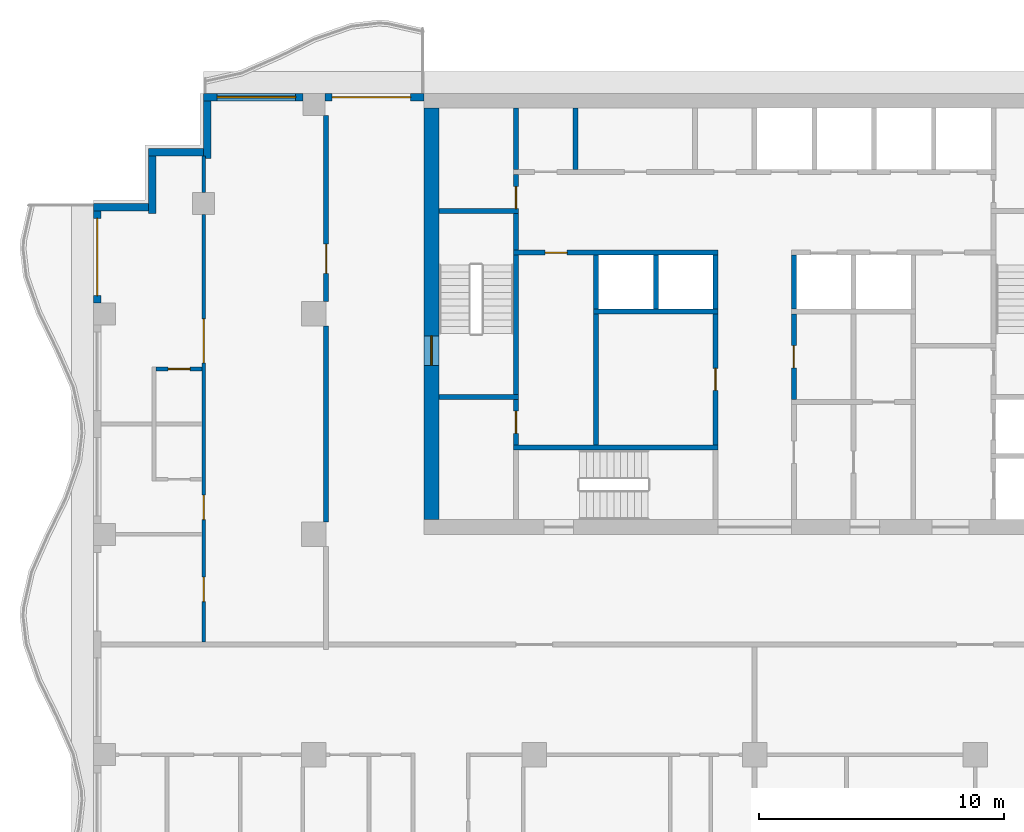
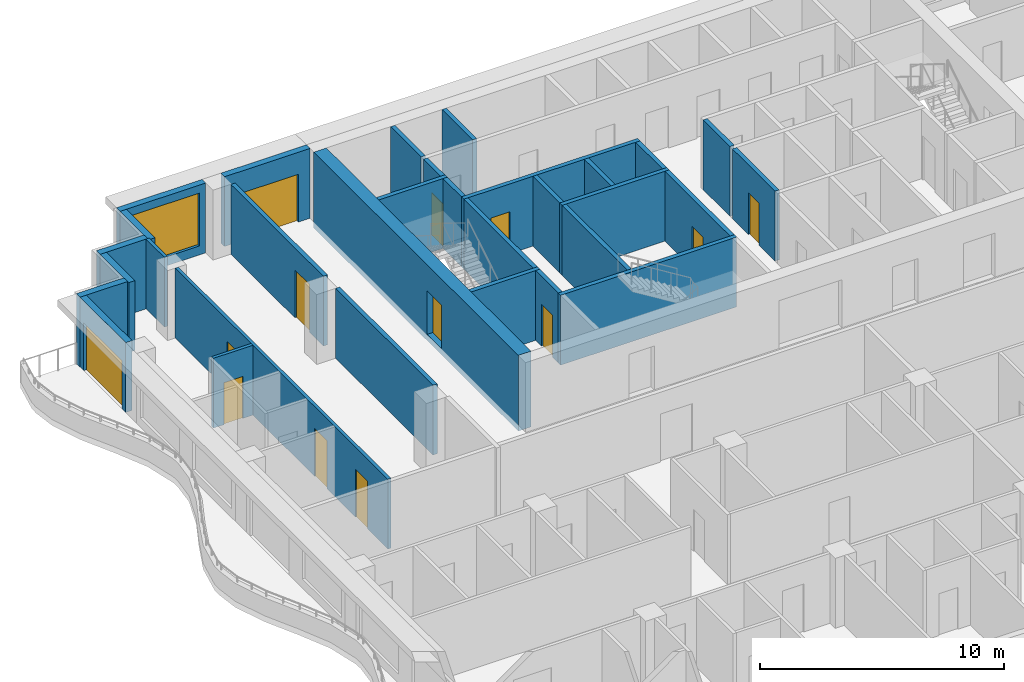
# One storey, part 5 of 11: 31 walls, 13 doors, 1 window, 14 openings.
"""IFC4 building model written with IfcOpenShell, lengths in metres."""

from ifc_helpers import new_model, si_unit, direction, frame, frame_2d, origin, place, context, subcontext, project, spatial, rectangle, extrude, material, layer, layer_set, type_object, element, fill, save


model = new_model("IFC4")

# Units and contexts
model_context = context("Model", 3, precision=1e-05, world=origin(), true_north=direction((0.0, 1.0)))
body_context = subcontext(model_context, "Body", "Model", "MODEL_VIEW")
ifc_project = project(units=[si_unit("LENGTHUNIT", "METRE"), si_unit("AREAUNIT", "SQUARE_METRE"), si_unit("VOLUMEUNIT", "CUBIC_METRE"), si_unit("PLANEANGLEUNIT", "RADIAN"), si_unit("MASSUNIT", "GRAM", prefix="KILO")], contexts=[model_context])

# Site, building, storey
site_placement = place(None, origin())
site = spatial("IfcSite", under=ifc_project, at=site_placement, CompositionType="ELEMENT")
building_placement = place(site_placement, origin())
building = spatial("IfcBuilding", under=site, at=building_placement, Name="Orbiselva Terraces", CompositionType="ELEMENT")
storey_placement = place(building_placement, frame((0.0, 0.0, 246.4)))
storey = spatial("IfcBuildingStorey", under=building, at=storey_placement, Name="L62", CompositionType="ELEMENT", Elevation=246.4)

# Wall, opening, door
ifc_material_1 = material(Name="Concrete C80/95", Category="concrete")
ifc_layer_1 = layer(ifc_material_1, 0.6)
ifc_layer_set_1 = layer_set([ifc_layer_1], Name="Concrete C80/95")
wall_type_1 = type_object("IfcWallType", Name="CORE WALL 600", PredefinedType="SHEAR", material=ifc_layer_set_1)
wall_1_placement = place(storey_placement, frame((-13.2, 21.9, -0.3), z_axis=(0.0, 0.0, 1.0), x_axis=(0.0, -1.0, 0.0)))
wall_1 = element("IfcWall", 1, at=wall_1_placement, inside=storey, type_object=wall_type_1, Name="Core wall L62 west", PredefinedType="SHEAR", context=body_context, shape_type="SweptSolid", body=[
    extrude(rectangle(XDim=16.8, YDim=0.6, at=frame_2d((8.4, 0.0))), origin(), (0.0, 0.0, 1.0), 3.8),
])
opening_1_placement = place(wall_1_placement, frame((9.3, 0.0, 0.3)))
opening_1 = element("IfcOpeningElement", 2, at=opening_1_placement, cuts=wall_1, Name="Opening DS1200", PredefinedType="OPENING", context=body_context, shape_type="SweptSolid", body=[
    extrude(rectangle(XDim=1.2, YDim=2.2, at=frame_2d((0.6, 1.1))), frame((0.0, 0.31, 0.0), z_axis=(0.0, -1.0, 0.0), x_axis=(1.0, 0.0, 0.0)), (0.0, 0.0, 1.0), 0.62),
])
ifc_material_2 = material(Name="Steel fire door", Category="steel")
door_type_1 = type_object("IfcDoorType", Name="STAIR DOOR 1200", OperationType="NOTDEFINED", PredefinedType="DOOR", material=ifc_material_2)
door_1_placement = place(opening_1_placement, frame((1.2, 0.0, 0.0), z_axis=(0.0, 0.0, 1.0), x_axis=(-1.0, 0.0, 0.0)))
door_1 = element("IfcDoor", 3, at=door_1_placement, inside=storey, type_object=door_type_1, Name="L62 EXIT STAIR S1 door", OperationType="SINGLE_SWING_RIGHT", OverallHeight=2.2, OverallWidth=1.2, PredefinedType="DOOR", context=body_context, shape_type="SweptSolid", body=[
    extrude(rectangle(XDim=1.2, YDim=2.2, at=frame_2d((0.6, 1.1))), frame((0.0, 0.025, 0.0), z_axis=(0.0, -1.0, 0.0), x_axis=(1.0, 0.0, 0.0)), (0.0, 0.0, 1.0), 0.05),
])
fill(opening_1, door_1)

ifc_material_3 = material(Name="Masonry blockwork", Category="masonry")
ifc_layer_2 = layer(ifc_material_3, 0.2)
ifc_layer_set_2 = layer_set([ifc_layer_2], Name="Masonry blockwork")
wall_type_2 = type_object("IfcWallType", Name="CORE-WALL-PARTITION-200", PredefinedType="PARTITIONING", material=ifc_layer_set_2)
wall_2_placement = place(storey_placement, frame((-9.75, 8.15, 0.0), z_axis=(0.0, 0.0, 1.0), x_axis=(0.0, 1.0, 0.0)))
wall_2 = element("IfcWall", 4, at=wall_2_placement, inside=storey, type_object=wall_type_2, Name="L62 core wall 05", PredefinedType="PARTITIONING", context=body_context, shape_type="SweptSolid", body=[
    extrude(rectangle(XDim=1.85, YDim=0.2, at=frame_2d((0.925, 0.0))), origin(), (0.0, 0.0, 1.0), 3.5),
])
opening_2_placement = place(wall_2_placement, frame((0.475, 0.0, 0.0)))
opening_2 = element("IfcOpeningElement", 5, at=opening_2_placement, cuts=wall_2, Name="Opening DR900", PredefinedType="OPENING", context=body_context, shape_type="SweptSolid", body=[
    extrude(rectangle(XDim=0.9, YDim=2.1, at=frame_2d((0.45, 1.05))), frame((0.0, 0.11, 0.0), z_axis=(0.0, -1.0, 0.0), x_axis=(1.0, 0.0, 0.0)), (0.0, 0.0, 1.0), 0.22),
])
door_type_2 = type_object("IfcDoorType", Name="ROOM DOOR 900", OperationType="NOTDEFINED", PredefinedType="DOOR", material=ifc_material_2)
door_2_placement = place(opening_2_placement, origin())
door_2 = element("IfcDoor", 6, at=door_2_placement, inside=storey, type_object=door_type_2, Name="L62 STAFF WC door", OperationType="SINGLE_SWING_RIGHT", OverallHeight=2.1, OverallWidth=0.9, PredefinedType="DOOR", context=body_context, shape_type="SweptSolid", body=[
    extrude(rectangle(XDim=0.9, YDim=2.1, at=frame_2d((0.45, 1.05))), frame((0.0, 0.025, 0.0), z_axis=(0.0, -1.0, 0.0), x_axis=(1.0, 0.0, 0.0)), (0.0, 0.0, 1.0), 0.05),
])
fill(opening_2, door_2)

wall_3_placement = place(storey_placement, frame((-9.75, 17.8, 0.0), z_axis=(0.0, 0.0, 1.0), x_axis=(0.0, 1.0, 0.0)))
wall_3 = element("IfcWall", 7, at=wall_3_placement, inside=storey, type_object=wall_type_2, Name="L62 core wall 09", PredefinedType="PARTITIONING", context=body_context, shape_type="SweptSolid", body=[
    extrude(rectangle(XDim=1.4, YDim=0.2, at=frame_2d((0.7, 0.0))), origin(), (0.0, 0.0, 1.0), 3.5),
])
opening_3_placement = place(wall_3_placement, origin())
opening_3 = element("IfcOpeningElement", 8, at=opening_3_placement, cuts=wall_3, Name="Opening DR900", PredefinedType="OPENING", context=body_context, shape_type="SweptSolid", body=[
    extrude(rectangle(XDim=0.9, YDim=2.1, at=frame_2d((0.45, 1.05))), frame((0.0, 0.11, 0.0), z_axis=(0.0, -1.0, 0.0), x_axis=(1.0, 0.0, 0.0)), (0.0, 0.0, 1.0), 0.22),
])
door_3_placement = place(opening_3_placement, origin())
door_3 = element("IfcDoor", 9, at=door_3_placement, inside=storey, type_object=door_type_2, Name="L62 COMMS RISER ROOM door", OperationType="SINGLE_SWING_LEFT", OverallHeight=2.1, OverallWidth=0.9, PredefinedType="DOOR", context=body_context, shape_type="SweptSolid", body=[
    extrude(rectangle(XDim=0.9, YDim=2.1, at=frame_2d((0.45, 1.05))), frame((0.0, 0.025, 0.0), z_axis=(0.0, -1.0, 0.0), x_axis=(1.0, 0.0, 0.0)), (0.0, 0.0, 1.0), 0.05),
])
fill(opening_3, door_3)

# Walls
for number, where, z_axis, x_axis, name in (
    (10, (-9.75, 19.4, 0.0), (0.0, 0.0, 1.0), (0.0, 1.0, 0.0), "L62 core wall 11"),
    (11, (-7.3125, 19.4, 0.0), (0.0, 0.0, 1.0), (0.0, 1.0, 0.0), "L62 core wall 12"),
):
    element("IfcWall", number, at=place(storey_placement, frame(where, z_axis=z_axis, x_axis=x_axis)), inside=storey, type_object=wall_type_2, Name=name, PredefinedType="PARTITIONING", context=body_context, shape_type="SweptSolid", body=[
        extrude(rectangle(XDim=2.5, YDim=0.2, at=frame_2d((1.25, 0.0))), origin(), (0.0, 0.0, 1.0), 3.5),
    ])
wall_4_placement = place(storey_placement, frame((-6.475, 8.15, 0.0), z_axis=(0.0, 0.0, 1.0), x_axis=(0.0, 1.0, 0.0)))
element("IfcWall", 12, at=wall_4_placement, inside=storey, type_object=wall_type_2, Name="L62 core wall 13", PredefinedType="PARTITIONING", context=body_context, shape_type="SweptSolid", body=[
    extrude(rectangle(XDim=5.35, YDim=0.2, at=frame_2d((2.675, 0.0))), origin(), (0.0, 0.0, 1.0), 3.5),
])
ifc_material_4 = material(Name="Concrete C40/50", Category="concrete")
ifc_layer_3 = layer(ifc_material_4, 0.2)
ifc_layer_set_3 = layer_set([ifc_layer_3], Name="Concrete C40/50")
wall_type_3 = type_object("IfcWallType", Name="CORE-WALL-SHAFT-200", PredefinedType="PARTITIONING", material=ifc_layer_set_3)
for number, where, z_axis, x_axis, name in (
    (13, (-6.475, 13.7, 0.0), (0.0, 0.0, 1.0), (0.0, 1.0, 0.0), "L62 core wall 15"),
    (14, (-4.0375, 13.7, 0.0), (0.0, 0.0, 1.0), (0.0, 1.0, 0.0), "L62 core wall 16"),
    (15, (-1.6, 13.7, 0.0), (0.0, 0.0, 1.0), (0.0, 1.0, 0.0), "L62 core wall 20"),
    (16, (1.6, 13.7, 0.0), (0.0, 0.0, 1.0), (0.0, 1.0, 0.0), "L62 core wall 26"),
):
    element("IfcWall", number, at=place(storey_placement, frame(where, z_axis=z_axis, x_axis=x_axis)), inside=storey, type_object=wall_type_3, Name=name, PredefinedType="PARTITIONING", context=body_context, shape_type="SweptSolid", body=[
        extrude(rectangle(XDim=2.2, YDim=0.2, at=frame_2d((1.1, 0.0))), origin(), (0.0, 0.0, 1.0), 3.5),
    ])
ifc_material_5 = material(Name="Concrete C60/75", Category="concrete")
ifc_layer_4 = layer(ifc_material_5, 0.2)
ifc_layer_set_4 = layer_set([ifc_layer_4], Name="Concrete C60/75")
wall_type_4 = type_object("IfcWallType", Name="CORE-WALL-SHEAR-200", PredefinedType="SHEAR", material=ifc_layer_set_4)
for number, where, z_axis, x_axis, name in (
    (17, (-12.9, 10.1, 0.0), (0.0, 0.0, 1.0), (1.0, 0.0, 0.0), "L62 core wall 01"),
    (18, (-12.9, 17.7, 0.0), (0.0, 0.0, 1.0), (1.0, 0.0, 0.0), "L62 core wall 02"),
):
    element("IfcWall", number, at=place(storey_placement, frame(where, z_axis=z_axis, x_axis=x_axis)), inside=storey, type_object=wall_type_4, Name=name, PredefinedType="SHEAR", context=body_context, shape_type="SweptSolid", body=[
        extrude(rectangle(XDim=3.25, YDim=0.2, at=frame_2d((1.625, 0.0))), origin(), (0.0, 0.0, 1.0), 3.5),
    ])
wall_5_placement = place(storey_placement, frame((-9.85, 8.05, 0.0), z_axis=(0.0, 0.0, 1.0), x_axis=(1.0, 0.0, 0.0)))
element("IfcWall", 19, at=wall_5_placement, inside=storey, type_object=wall_type_4, Name="L62 core wall 04", PredefinedType="SHEAR", context=body_context, shape_type="SweptSolid", body=[
    extrude(rectangle(XDim=8.35, YDim=0.2, at=frame_2d((4.175, 0.0))), origin(), (0.0, 0.0, 1.0), 3.5),
])
wall_6_placement = place(storey_placement, frame((-9.75, 10.2, 0.0), z_axis=(0.0, 0.0, 1.0), x_axis=(0.0, 1.0, 0.0)))
element("IfcWall", 20, at=wall_6_placement, inside=storey, type_object=wall_type_4, Name="L62 core wall 06", PredefinedType="SHEAR", context=body_context, shape_type="SweptSolid", body=[
    extrude(rectangle(XDim=5.7, YDim=0.2, at=frame_2d((2.85, 0.0))), origin(), (0.0, 0.0, 1.0), 3.5),
])

# Wall, opening, door
wall_7_placement = place(storey_placement, frame((-1.5, 16.0, 0.0), z_axis=(0.0, 0.0, 1.0), x_axis=(-1.0, 0.0, 0.0)))
wall_7 = element("IfcWall", 21, at=wall_7_placement, inside=storey, type_object=wall_type_4, Name="L62 core wall 07", PredefinedType="SHEAR", context=body_context, shape_type="SweptSolid", body=[
    extrude(rectangle(XDim=8.35, YDim=0.2, at=frame_2d((4.175, 0.0))), origin(), (0.0, 0.0, 1.0), 3.5),
])
opening_4_placement = place(wall_7_placement, frame((6.1625, 0.0, 0.0)))
opening_4 = element("IfcOpeningElement", 22, at=opening_4_placement, cuts=wall_7, Name="Opening DR900", PredefinedType="OPENING", context=body_context, shape_type="SweptSolid", body=[
    extrude(rectangle(XDim=0.9, YDim=2.1, at=frame_2d((0.45, 1.05))), frame((0.0, 0.11, 0.0), z_axis=(0.0, -1.0, 0.0), x_axis=(1.0, 0.0, 0.0)), (0.0, 0.0, 1.0), 0.22),
])
door_4_placement = place(opening_4_placement, origin())
door_4 = element("IfcDoor", 23, at=door_4_placement, inside=storey, type_object=door_type_2, Name="L62 STAFF PANTRY door", OperationType="SINGLE_SWING_RIGHT", OverallHeight=2.1, OverallWidth=0.9, PredefinedType="DOOR", context=body_context, shape_type="SweptSolid", body=[
    extrude(rectangle(XDim=0.9, YDim=2.1, at=frame_2d((0.45, 1.05))), frame((0.0, 0.025, 0.0), z_axis=(0.0, -1.0, 0.0), x_axis=(1.0, 0.0, 0.0)), (0.0, 0.0, 1.0), 0.05),
])
fill(opening_4, door_4)

# Walls
wall_8_placement = place(storey_placement, frame((-9.75, 16.1, 0.0), z_axis=(0.0, 0.0, 1.0), x_axis=(0.0, 1.0, 0.0)))
element("IfcWall", 24, at=wall_8_placement, inside=storey, type_object=wall_type_4, Name="L62 core wall 08", PredefinedType="SHEAR", context=body_context, shape_type="SweptSolid", body=[
    extrude(rectangle(XDim=1.5, YDim=0.2, at=frame_2d((0.75, 0.0))), origin(), (0.0, 0.0, 1.0), 3.5),
])
wall_9_placement = place(storey_placement, frame((-6.575, 13.6, 0.0), z_axis=(0.0, 0.0, 1.0), x_axis=(1.0, 0.0, 0.0)))
element("IfcWall", 25, at=wall_9_placement, inside=storey, type_object=wall_type_4, Name="L62 core wall 14", PredefinedType="SHEAR", context=body_context, shape_type="SweptSolid", body=[
    extrude(rectangle(XDim=5.075, YDim=0.2, at=frame_2d((2.5375, 0.0))), origin(), (0.0, 0.0, 1.0), 3.5),
])

# Wall, opening, door
wall_10_placement = place(storey_placement, frame((-1.6, 8.15, 0.0), z_axis=(0.0, 0.0, 1.0), x_axis=(0.0, 1.0, 0.0)))
wall_10 = element("IfcWall", 26, at=wall_10_placement, inside=storey, type_object=wall_type_4, Name="L62 core wall 19", PredefinedType="SHEAR", context=body_context, shape_type="SweptSolid", body=[
    extrude(rectangle(XDim=5.35, YDim=0.2, at=frame_2d((2.675, 0.0))), origin(), (0.0, 0.0, 1.0), 3.5),
])
opening_5_placement = place(wall_10_placement, frame((2.225, 0.0, 0.0)))
opening_5 = element("IfcOpeningElement", 27, at=opening_5_placement, cuts=wall_10, Name="Opening DR900", PredefinedType="OPENING", context=body_context, shape_type="SweptSolid", body=[
    extrude(rectangle(XDim=0.9, YDim=2.1, at=frame_2d((0.45, 1.05))), frame((0.0, 0.11, 0.0), z_axis=(0.0, -1.0, 0.0), x_axis=(1.0, 0.0, 0.0)), (0.0, 0.0, 1.0), 0.22),
])
door_5_placement = place(opening_5_placement, origin())
door_5 = element("IfcDoor", 28, at=door_5_placement, inside=storey, type_object=door_type_2, Name="L62 HOUSEKEEPING STORE door", OperationType="SINGLE_SWING_RIGHT", OverallHeight=2.1, OverallWidth=0.9, PredefinedType="DOOR", context=body_context, shape_type="SweptSolid", body=[
    extrude(rectangle(XDim=0.9, YDim=2.1, at=frame_2d((0.45, 1.05))), frame((0.0, 0.025, 0.0), z_axis=(0.0, -1.0, 0.0), x_axis=(1.0, 0.0, 0.0)), (0.0, 0.0, 1.0), 0.05),
])
fill(opening_5, door_5)

wall_11_placement = place(storey_placement, frame((1.6, 13.5, 0.0), z_axis=(0.0, 0.0, 1.0), x_axis=(0.0, -1.0, 0.0)))
wall_11 = element("IfcWall", 29, at=wall_11_placement, inside=storey, type_object=wall_type_4, Name="L62 core wall 24", PredefinedType="SHEAR", context=body_context, shape_type="SweptSolid", body=[
    extrude(rectangle(XDim=3.5, YDim=0.2, at=frame_2d((1.75, 0.0))), origin(), (0.0, 0.0, 1.0), 3.5),
])
opening_6_placement = place(wall_11_placement, frame((1.3, 0.0, 0.0)))
opening_6 = element("IfcOpeningElement", 30, at=opening_6_placement, cuts=wall_11, Name="Opening DR900", PredefinedType="OPENING", context=body_context, shape_type="SweptSolid", body=[
    extrude(rectangle(XDim=0.9, YDim=2.1, at=frame_2d((0.45, 1.05))), frame((0.0, 0.11, 0.0), z_axis=(0.0, -1.0, 0.0), x_axis=(1.0, 0.0, 0.0)), (0.0, 0.0, 1.0), 0.22),
])
door_6_placement = place(opening_6_placement, origin())
door_6 = element("IfcDoor", 31, at=door_6_placement, inside=storey, type_object=door_type_2, Name="L62 COMMS ROOM door", OperationType="SINGLE_SWING_RIGHT", OverallHeight=2.1, OverallWidth=0.9, PredefinedType="DOOR", context=body_context, shape_type="SweptSolid", body=[
    extrude(rectangle(XDim=0.9, YDim=2.1, at=frame_2d((0.45, 1.05))), frame((0.0, 0.025, 0.0), z_axis=(0.0, -1.0, 0.0), x_axis=(1.0, 0.0, 0.0)), (0.0, 0.0, 1.0), 0.05),
])
fill(opening_6, door_6)

ifc_material_6 = material(Name="Terracotta cladding on masonry backing", Category="masonry")
ifc_layer_5 = layer(ifc_material_6, 0.3)
ifc_layer_set_5 = layer_set([ifc_layer_5], Name="Terracotta cladding on masonry backing")
wall_type_5 = type_object("IfcWallType", Name="ENV-WALL-TERRACOTTA-300", PredefinedType="SOLIDWALL", material=ifc_layer_set_5)
wall_12_placement = place(storey_placement, frame((-17.55, 22.35, 0.0), z_axis=(0.0, 0.0, 1.0), x_axis=(1.0, 0.0, 0.0)))
wall_12 = element("IfcWall", 32, at=wall_12_placement, inside=storey, type_object=wall_type_5, Name="Facade wall L62 NW", PredefinedType="SOLIDWALL", context=body_context, shape_type="SweptSolid", body=[
    extrude(rectangle(XDim=4.05, YDim=0.3, at=frame_2d((2.025, 0.0))), origin(), (0.0, 0.0, 1.0), 3.5),
])
opening_7_placement = place(wall_12_placement, frame((0.3, 0.0, 0.0)))
opening_7 = element("IfcOpeningElement", 33, at=opening_7_placement, cuts=wall_12, Name="Opening Z5-A-E16", PredefinedType="OPENING", context=body_context, shape_type="SweptSolid", body=[
    extrude(rectangle(XDim=3.2, YDim=2.4, at=frame_2d((1.6, 1.2))), frame((0.0, 0.16, 0.0), z_axis=(0.0, -1.0, 0.0), x_axis=(1.0, 0.0, 0.0)), (0.0, 0.0, 1.0), 0.32),
])
ifc_material_7 = material(Name="Clear low-e glazing in aluminium frame", Category="aluminium")
door_type_3 = type_object("IfcDoorType", Name="BALCONY DOOR 3200 X 2400", OperationType="DOUBLE_DOOR_SLIDING", PredefinedType="DOOR", material=ifc_material_7)
door_7_placement = place(opening_7_placement, origin())
door_7 = element("IfcDoor", 34, at=door_7_placement, inside=storey, type_object=door_type_3, Name="Z5-A-E16", OperationType="SINGLE_SWING_LEFT", OverallHeight=2.4, OverallWidth=3.2, PredefinedType="DOOR", context=body_context, shape_type="SweptSolid", body=[
    extrude(rectangle(XDim=3.2, YDim=2.4, at=frame_2d((1.6, 1.2))), frame((0.0, 0.025, 0.0), z_axis=(0.0, -1.0, 0.0), x_axis=(1.0, 0.0, 0.0)), (0.0, 0.0, 1.0), 0.05),
])
fill(opening_7, door_7)

# Wall, opening, window
wall_13_placement = place(storey_placement, frame((-22.5, 22.35, 0.0), z_axis=(0.0, 0.0, 1.0), x_axis=(1.0, 0.0, 0.0)))
wall_13 = element("IfcWall", 35, at=wall_13_placement, inside=storey, type_object=wall_type_5, Name="Facade wall L62 NW", PredefinedType="SOLIDWALL", context=body_context, shape_type="SweptSolid", body=[
    extrude(rectangle(XDim=4.05, YDim=0.3, at=frame_2d((2.025, 0.0))), origin(), (0.0, 0.0, 1.0), 3.5),
])
opening_8_placement = place(wall_13_placement, frame((0.55, 0.0, 0.45)))
opening_8 = element("IfcOpeningElement", 36, at=opening_8_placement, cuts=wall_13, Name="Opening WN17", PredefinedType="OPENING", context=body_context, shape_type="SweptSolid", body=[
    extrude(rectangle(XDim=3.2, YDim=2.65, at=frame_2d((1.6, 1.325))), frame((0.0, 0.16, 0.0), z_axis=(0.0, -1.0, 0.0), x_axis=(1.0, 0.0, 0.0)), (0.0, 0.0, 1.0), 0.32),
])
window_type = type_object("IfcWindowType", Name="WINDOW 3200 X 2650 S450", PartitioningType="TRIPLE_PANEL_VERTICAL", PredefinedType="WINDOW", material=ifc_material_7)
window_placement = place(opening_8_placement, origin())
window = element("IfcWindow", 37, at=window_placement, inside=storey, type_object=window_type, Name="Window L62 NW", OverallHeight=2.65, OverallWidth=3.2, PartitioningType="SINGLE_PANEL", PredefinedType="WINDOW", context=body_context, shape_type="SweptSolid", body=[
    extrude(rectangle(XDim=3.2, YDim=2.65, at=frame_2d((1.6, 1.325))), frame((0.0, 0.03, 0.0), z_axis=(0.0, -1.0, 0.0), x_axis=(1.0, 0.0, 0.0)), (0.0, 0.0, 1.0), 0.06),
])
fill(opening_8, window)

# Walls
wall_14_placement = place(storey_placement, frame((-22.35, 19.85, 0.0), z_axis=(0.0, 0.0, 1.0), x_axis=(0.0, 1.0, 0.0)))
element("IfcWall", 38, at=wall_14_placement, inside=storey, type_object=wall_type_5, Name="Facade wall L62 STEP", PredefinedType="SOLIDWALL", context=body_context, shape_type="SweptSolid", body=[
    extrude(rectangle(XDim=2.35, YDim=0.3, at=frame_2d((1.175, 0.0))), origin(), (0.0, 0.0, 1.0), 3.5),
])
wall_15_placement = place(storey_placement, frame((-24.75, 20.1, 0.0), z_axis=(0.0, 0.0, 1.0), x_axis=(1.0, 0.0, 0.0)))
element("IfcWall", 39, at=wall_15_placement, inside=storey, type_object=wall_type_5, Name="Facade wall L62 STEP", PredefinedType="SOLIDWALL", context=body_context, shape_type="SweptSolid", body=[
    extrude(rectangle(XDim=2.25, YDim=0.3, at=frame_2d((1.125, 0.0))), origin(), (0.0, 0.0, 1.0), 3.5),
])
wall_16_placement = place(storey_placement, frame((-24.6, 17.6, 0.0), z_axis=(0.0, 0.0, 1.0), x_axis=(0.0, 1.0, 0.0)))
element("IfcWall", 40, at=wall_16_placement, inside=storey, type_object=wall_type_5, Name="Facade wall L62 STEP", PredefinedType="SOLIDWALL", context=body_context, shape_type="SweptSolid", body=[
    extrude(rectangle(XDim=2.35, YDim=0.3, at=frame_2d((1.175, 0.0))), origin(), (0.0, 0.0, 1.0), 3.5),
])
wall_17_placement = place(storey_placement, frame((-27.0, 17.85, 0.0), z_axis=(0.0, 0.0, 1.0), x_axis=(1.0, 0.0, 0.0)))
element("IfcWall", 41, at=wall_17_placement, inside=storey, type_object=wall_type_5, Name="Facade wall L62 STEP", PredefinedType="SOLIDWALL", context=body_context, shape_type="SweptSolid", body=[
    extrude(rectangle(XDim=2.25, YDim=0.3, at=frame_2d((1.125, 0.0))), origin(), (0.0, 0.0, 1.0), 3.5),
])

# Wall, opening, door
wall_18_placement = place(storey_placement, frame((-26.85, 13.95, 0.0), z_axis=(0.0, 0.0, 1.0), x_axis=(0.0, 1.0, 0.0)))
wall_18 = element("IfcWall", 42, at=wall_18_placement, inside=storey, type_object=wall_type_5, Name="Facade wall L62 W", PredefinedType="SOLIDWALL", context=body_context, shape_type="SweptSolid", body=[
    extrude(rectangle(XDim=3.75, YDim=0.3, at=frame_2d((1.875, 0.0))), origin(), (0.0, 0.0, 1.0), 3.5),
])
opening_9_placement = place(wall_18_placement, frame((0.3, 0.0, 0.0)))
opening_9 = element("IfcOpeningElement", 43, at=opening_9_placement, cuts=wall_18, Name="Opening Z5-A-E17", PredefinedType="OPENING", context=body_context, shape_type="SweptSolid", body=[
    extrude(rectangle(XDim=3.15, YDim=2.4, at=frame_2d((1.575, 1.2))), frame((0.0, 0.16, 0.0), z_axis=(0.0, -1.0, 0.0), x_axis=(1.0, 0.0, 0.0)), (0.0, 0.0, 1.0), 0.32),
])
door_type_4 = type_object("IfcDoorType", Name="BALCONY DOOR 3150 X 2400", OperationType="DOUBLE_DOOR_SLIDING", PredefinedType="DOOR", material=ifc_material_7)
door_8_placement = place(opening_9_placement, origin())
door_8 = element("IfcDoor", 44, at=door_8_placement, inside=storey, type_object=door_type_4, Name="Z5-A-E17", OperationType="SINGLE_SWING_LEFT", OverallHeight=2.4, OverallWidth=3.15, PredefinedType="DOOR", context=body_context, shape_type="SweptSolid", body=[
    extrude(rectangle(XDim=3.15, YDim=2.4, at=frame_2d((1.575, 1.2))), frame((0.0, 0.025, 0.0), z_axis=(0.0, -1.0, 0.0), x_axis=(1.0, 0.0, 0.0)), (0.0, 0.0, 1.0), 0.05),
])
fill(opening_9, door_8)

# Wall
ifc_material_8 = material(Name="Plasterboard on steel stud partition", Category="steel")
ifc_layer_6 = layer(ifc_material_8, 0.2)
ifc_layer_set_6 = layer_set([ifc_layer_6], Name="Plasterboard on steel stud partition")
wall_type_6 = type_object("IfcWallType", Name="UNIT-ENTRANCE-WALL-200", PredefinedType="PARTITIONING", material=ifc_layer_set_6)
wall_19_placement = place(storey_placement, frame((-17.5, 5.0, 0.0), z_axis=(0.0, 0.0, 1.0), x_axis=(0.0, 1.0, 0.0)))
element("IfcWall", 45, at=wall_19_placement, inside=storey, type_object=wall_type_6, Name="PARTITION L62-051", PredefinedType="PARTITIONING", context=body_context, shape_type="SweptSolid", body=[
    extrude(rectangle(XDim=8.0, YDim=0.2, at=frame_2d((4.0, 0.0))), origin(), (0.0, 0.0, 1.0), 3.5),
])

# Wall, opening, door
wall_20_placement = place(storey_placement, frame((-17.5, 14.0, 0.0), z_axis=(0.0, 0.0, 1.0), x_axis=(0.0, 1.0, 0.0)))
wall_20 = element("IfcWall", 46, at=wall_20_placement, inside=storey, type_object=wall_type_6, Name="PARTITION L62-052", PredefinedType="PARTITIONING", context=body_context, shape_type="SweptSolid", body=[
    extrude(rectangle(XDim=7.6, YDim=0.2, at=frame_2d((3.8, 0.0))), origin(), (0.0, 0.0, 1.0), 3.5),
])
opening_10_placement = place(wall_20_placement, frame((1.15, 0.0, 0.0)))
opening_10 = element("IfcOpeningElement", 47, at=opening_10_placement, cuts=wall_20, Name="Opening Z5-A-02", PredefinedType="OPENING", context=body_context, shape_type="SweptSolid", body=[
    extrude(rectangle(XDim=1.2, YDim=2.4, at=frame_2d((0.6, 1.2))), frame((0.0, 0.11, 0.0), z_axis=(0.0, -1.0, 0.0), x_axis=(1.0, 0.0, 0.0)), (0.0, 0.0, 1.0), 0.22),
])
ifc_material_9 = material(Name="Painted timber door leaf", Category="wood")
door_type_5 = type_object("IfcDoorType", Name="ENTRANCE DOOR 1200", OperationType="NOTDEFINED", PredefinedType="DOOR", material=ifc_material_9)
door_9_placement = place(opening_10_placement, origin())
door_9 = element("IfcDoor", 48, at=door_9_placement, inside=storey, type_object=door_type_5, Name="Z5-A-02", OperationType="SINGLE_SWING_LEFT", OverallHeight=2.4, OverallWidth=1.2, PredefinedType="DOOR", context=body_context, shape_type="SweptSolid", body=[
    extrude(rectangle(XDim=1.2, YDim=2.4, at=frame_2d((0.6, 1.2))), frame((0.0, 0.025, 0.0), z_axis=(0.0, -1.0, 0.0), x_axis=(1.0, 0.0, 0.0)), (0.0, 0.0, 1.0), 0.05),
])
fill(opening_10, door_9)

ifc_layer_7 = layer(ifc_material_8, 0.15)
ifc_layer_set_7 = layer_set([ifc_layer_7], Name="Plasterboard on steel stud partition")
wall_type_7 = type_object("IfcWallType", Name="UNIT-PARTITION-150", PredefinedType="PARTITIONING", material=ifc_layer_set_7)
wall_21_placement = place(storey_placement, frame((-22.575, 11.25, 0.0), z_axis=(0.0, 0.0, 1.0), x_axis=(-1.0, 0.0, 0.0)))
wall_21 = element("IfcWall", 49, at=wall_21_placement, inside=storey, type_object=wall_type_7, Name="PARTITION L62-037", PredefinedType="PARTITIONING", context=body_context, shape_type="SweptSolid", body=[
    extrude(rectangle(XDim=1.875, YDim=0.15, at=frame_2d((0.9375, 0.0))), origin(), (0.0, 0.0, 1.0), 3.5),
])
opening_11_placement = place(wall_21_placement, frame((0.475, 0.0, 0.0)))
opening_11 = element("IfcOpeningElement", 50, at=opening_11_placement, cuts=wall_21, Name="Opening Z5-A-07", PredefinedType="OPENING", context=body_context, shape_type="SweptSolid", body=[
    extrude(rectangle(XDim=0.9, YDim=2.1, at=frame_2d((0.45, 1.05))), frame((0.0, 0.085, 0.0), z_axis=(0.0, -1.0, 0.0), x_axis=(1.0, 0.0, 0.0)), (0.0, 0.0, 1.0), 0.17),
])
door_type_6 = type_object("IfcDoorType", Name="BATH DOOR 900", OperationType="NOTDEFINED", PredefinedType="DOOR", material=ifc_material_9)
door_10_placement = place(opening_11_placement, origin())
door_10 = element("IfcDoor", 51, at=door_10_placement, inside=storey, type_object=door_type_6, Name="Z5-A-07", OperationType="SINGLE_SWING_LEFT", OverallHeight=2.1, OverallWidth=0.9, PredefinedType="DOOR", context=body_context, shape_type="SweptSolid", body=[
    extrude(rectangle(XDim=0.9, YDim=2.1, at=frame_2d((0.45, 1.05))), frame((0.0, 0.025, 0.0), z_axis=(0.0, -1.0, 0.0), x_axis=(1.0, 0.0, 0.0)), (0.0, 0.0, 1.0), 0.05),
])
fill(opening_11, door_10)

# Wall, openings, doors
wall_22_placement = place(storey_placement, frame((-22.5, 0.1, 0.0), z_axis=(0.0, 0.0, 1.0), x_axis=(0.0, 1.0, 0.0)))
wall_22 = element("IfcWall", 52, at=wall_22_placement, inside=storey, type_object=wall_type_7, Name="PARTITION L62-044", PredefinedType="PARTITIONING", context=body_context, shape_type="SweptSolid", body=[
    extrude(rectangle(XDim=17.45, YDim=0.15, at=frame_2d((8.725, 0.0))), origin(), (0.0, 0.0, 1.0), 3.5),
])
opening_12_placement = place(wall_22_placement, frame((1.65, 0.0, 0.0)))
opening_12 = element("IfcOpeningElement", 53, at=opening_12_placement, cuts=wall_22, Name="Opening Z5-A-03", PredefinedType="OPENING", context=body_context, shape_type="SweptSolid", body=[
    extrude(rectangle(XDim=1.0, YDim=2.4, at=frame_2d((0.5, 1.2))), frame((0.0, 0.085, 0.0), z_axis=(0.0, -1.0, 0.0), x_axis=(1.0, 0.0, 0.0)), (0.0, 0.0, 1.0), 0.17),
])
opening_13_placement = place(wall_22_placement, frame((5.0, 0.0, 0.0)))
opening_13 = element("IfcOpeningElement", 54, at=opening_13_placement, cuts=wall_22, Name="Opening Z5-A-04", PredefinedType="OPENING", context=body_context, shape_type="SweptSolid", body=[
    extrude(rectangle(XDim=1.0, YDim=2.4, at=frame_2d((0.5, 1.2))), frame((0.0, 0.085, 0.0), z_axis=(0.0, -1.0, 0.0), x_axis=(1.0, 0.0, 0.0)), (0.0, 0.0, 1.0), 0.17),
])
opening_14_placement = place(wall_22_placement, frame((11.4, 0.0, 0.0)))
opening_14 = element("IfcOpeningElement", 55, at=opening_14_placement, cuts=wall_22, Name="Opening Z5-A-06", PredefinedType="OPENING", context=body_context, shape_type="SweptSolid", body=[
    extrude(rectangle(XDim=1.8, YDim=2.4, at=frame_2d((0.9, 1.2))), frame((0.0, 0.085, 0.0), z_axis=(0.0, -1.0, 0.0), x_axis=(1.0, 0.0, 0.0)), (0.0, 0.0, 1.0), 0.17),
])
door_type_7 = type_object("IfcDoorType", Name="DOUBLE DOOR 1800", OperationType="NOTDEFINED", PredefinedType="DOOR", material=ifc_material_9)
door_11_placement = place(opening_14_placement, origin())
door_11 = element("IfcDoor", 56, at=door_11_placement, inside=storey, type_object=door_type_7, Name="Z5-A-06", OperationType="DOUBLE_DOOR_SINGLE_SWING", OverallHeight=2.4, OverallWidth=1.8, PredefinedType="DOOR", context=body_context, shape_type="SweptSolid", body=[
    extrude(rectangle(XDim=1.8, YDim=2.4, at=frame_2d((0.9, 1.2))), frame((0.0, 0.025, 0.0), z_axis=(0.0, -1.0, 0.0), x_axis=(1.0, 0.0, 0.0)), (0.0, 0.0, 1.0), 0.05),
])
fill(opening_14, door_11)
door_type_8 = type_object("IfcDoorType", Name="ROOM DOOR 1000", OperationType="NOTDEFINED", PredefinedType="DOOR", material=ifc_material_9)
door_12_placement = place(opening_12_placement, origin())
door_12 = element("IfcDoor", 57, at=door_12_placement, inside=storey, type_object=door_type_8, Name="Z5-A-03", OperationType="SINGLE_SWING_LEFT", OverallHeight=2.4, OverallWidth=1.0, PredefinedType="DOOR", context=body_context, shape_type="SweptSolid", body=[
    extrude(rectangle(XDim=1.0, YDim=2.4, at=frame_2d((0.5, 1.2))), frame((0.0, 0.025, 0.0), z_axis=(0.0, -1.0, 0.0), x_axis=(1.0, 0.0, 0.0)), (0.0, 0.0, 1.0), 0.05),
])
fill(opening_12, door_12)
door_13_placement = place(opening_13_placement, origin())
door_13 = element("IfcDoor", 58, at=door_13_placement, inside=storey, type_object=door_type_8, Name="Z5-A-04", OperationType="SINGLE_SWING_LEFT", OverallHeight=2.4, OverallWidth=1.0, PredefinedType="DOOR", context=body_context, shape_type="SweptSolid", body=[
    extrude(rectangle(XDim=1.0, YDim=2.4, at=frame_2d((0.5, 1.2))), frame((0.0, 0.025, 0.0), z_axis=(0.0, -1.0, 0.0), x_axis=(1.0, 0.0, 0.0)), (0.0, 0.0, 1.0), 0.05),
])
fill(opening_13, door_13)

# Wall
wall_23_placement = place(storey_placement, frame((-22.5, 18.45, 0.0), z_axis=(0.0, 0.0, 1.0), x_axis=(0.0, 1.0, 0.0)))
element("IfcWall", 59, at=wall_23_placement, inside=storey, type_object=wall_type_7, Name="PARTITION L62-045", PredefinedType="PARTITIONING", context=body_context, shape_type="SweptSolid", body=[
    extrude(rectangle(XDim=1.5, YDim=0.15, at=frame_2d((0.75, 0.0))), origin(), (0.0, 0.0, 1.0), 3.5),
])

save(model, "model.ifc")
